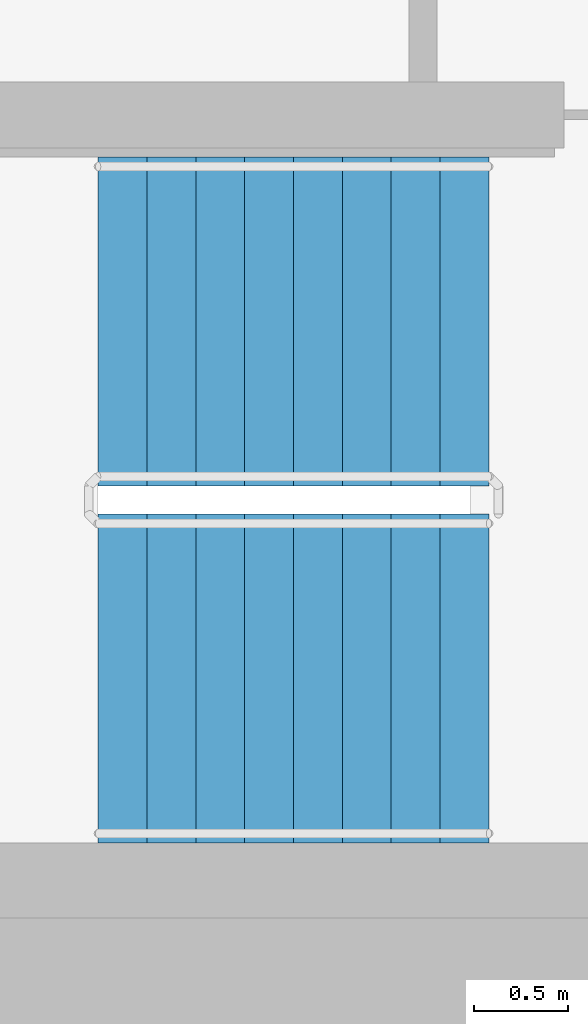
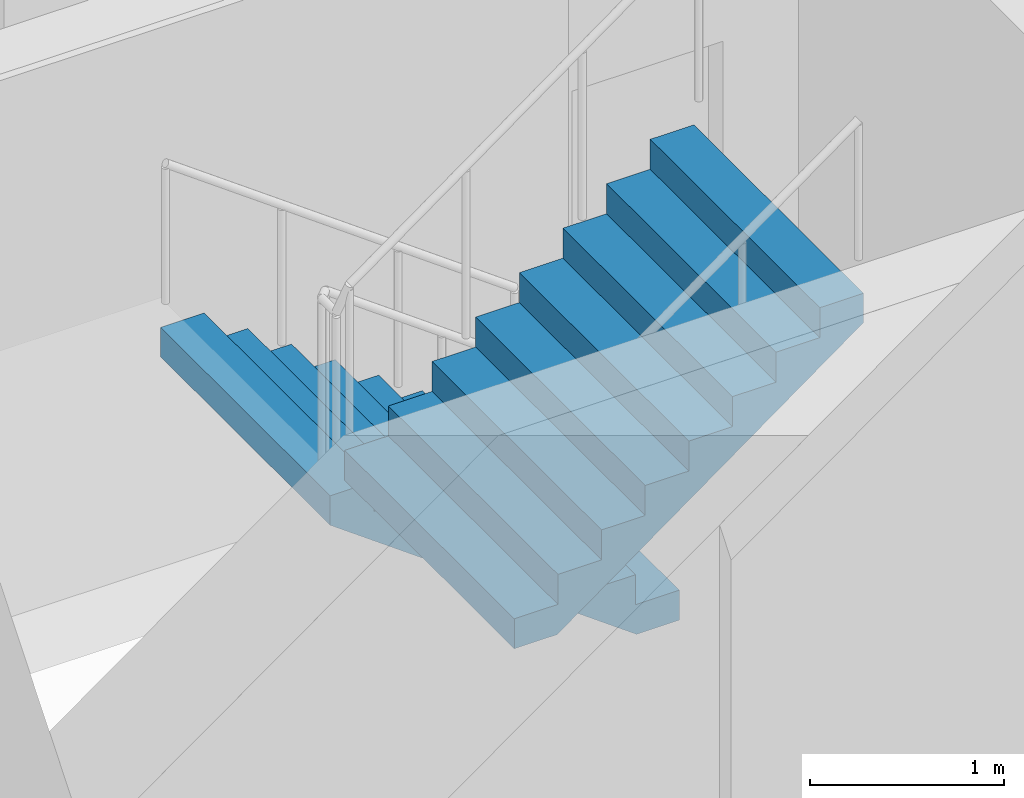
# One storey, part 12 of 18: 2 stair flights, 1 element without a shape of its own.
"""IFC4 building model written with IfcOpenShell, lengths in metres."""

from ifc_helpers import new_model, si_unit, direction, frame, origin, place, context, subcontext, project, spatial, faceted_brep, material, type_object, element, aggregate, save


model = new_model("IFC4")

# Units and contexts
model_context = context("Model", 3, precision=1e-05, world=origin(), true_north=direction((0.0, 1.0)))
body_context = subcontext(model_context, "Body", "Model", "MODEL_VIEW")
ifc_project = project(units=[si_unit("LENGTHUNIT", "METRE"), si_unit("AREAUNIT", "SQUARE_METRE"), si_unit("VOLUMEUNIT", "CUBIC_METRE"), si_unit("PLANEANGLEUNIT", "RADIAN"), si_unit("MASSUNIT", "GRAM", prefix="KILO")], contexts=[model_context])

# Site, building, storey
site_placement = place(None, origin())
site = spatial("IfcSite", under=ifc_project, at=site_placement, CompositionType="ELEMENT")
building_placement = place(site_placement, origin())
building = spatial("IfcBuilding", under=site, at=building_placement, Name="Ipe Terrace Towers", CompositionType="ELEMENT")
storey_placement = place(building_placement, frame((0.0, 0.0, 171.10009765625)))
storey = spatial("IfcBuildingStorey", under=building, at=storey_placement, Name="L47", CompositionType="ELEMENT", Elevation=171.10009765625)

# Stair, stair flights
ifc_material_1 = material(Name="Concrete C30/37", Category="concrete")
stair_type = type_object("IfcStairType", Name="Protected exit stair", PredefinedType="HALF_TURN_STAIR", material=ifc_material_1)
stair_placement = place(storey_placement, origin())
stair = element("IfcStair", 1, at=stair_placement, inside=storey, type_object=stair_type, Name="L47 Exit stair T1-C2", PredefinedType="HALF_TURN_STAIR")
ifc_material_2 = material(Name="Concrete C30/37", Category="concrete")
stair_flight_type = type_object("IfcStairFlightType", Name="Exit stair flight 1750", PredefinedType="STRAIGHT", material=ifc_material_2)
stair_flight_1_placement = place(storey_placement, frame((-45.699951171875, -2.77490234375, 0.0), z_axis=(0.0, 0.0, 1.0), x_axis=(-1.0, 0.0, 0.0)))
stair_flight_1 = element("IfcStairFlight", 2, at=stair_flight_1_placement, type_object=stair_flight_type, Name="T1-ST2 flight 1", NumberOfRisers=9, NumberOfTreads=8, PredefinedType="STRAIGHT", RiserHeight=0.188888889, TreadLength=0.26, context=body_context, shape_type="Brep", body=[
    faceted_brep([(0.255126953125, -0.875, 0.0), (2.080078125, -0.875, 1.325927734375), (2.080078125, -0.875, 1.51123046875), (1.820068359375, -0.875, 1.51123046875), (1.820068359375, -0.875, 1.322265625), (1.56005859375, -0.875, 1.322265625), (1.56005859375, -0.875, 1.13330078125), (1.300048828125, -0.875, 1.13330078125), (1.300048828125, -0.875, 0.9443359375), (1.0400390625, -0.875, 0.9443359375), (1.0400390625, -0.875, 0.755615234375), (0.780029296875, -0.875, 0.755615234375), (0.780029296875, -0.875, 0.566650390625), (0.52001953125, -0.875, 0.566650390625), (0.52001953125, -0.875, 0.377685546875), (0.260009765625, -0.875, 0.377685546875), (0.260009765625, -0.875, 0.18896484375), (0.0, -0.875, 0.18896484375), (0.0, -0.875, 0.0), (0.0, 0.875, 0.0), (0.0, 0.875, 0.18896484375), (0.260009765625, 0.875, 0.18896484375), (0.260009765625, 0.875, 0.377685546875), (0.52001953125, 0.875, 0.377685546875), (0.52001953125, 0.875, 0.566650390625), (0.780029296875, 0.875, 0.566650390625), (0.780029296875, 0.875, 0.755615234375), (1.0400390625, 0.875, 0.755615234375), (1.0400390625, 0.875, 0.9443359375), (1.300048828125, 0.875, 0.9443359375), (1.300048828125, 0.875, 1.13330078125), (1.56005859375, 0.875, 1.13330078125), (1.56005859375, 0.875, 1.322265625), (1.820068359375, 0.875, 1.322265625), (1.820068359375, 0.875, 1.51123046875), (2.080078125, 0.875, 1.51123046875), (2.080078125, 0.875, 1.325927734375), (0.255126953125, 0.875, 0.0), (0.0, -0.300048828125, 0.18896484375), (0.0, -0.1201171875, 0.18896484375), (0.0, -0.06005859375, 0.18896484375), (0.0, -0.030029296875, 0.18896484375), (0.0, -0.010009765625, 0.18896484375), (0.0, 0.0, 0.18896484375), (0.0, 0.010009765625, 0.18896484375), (0.0, 0.030029296875, 0.18896484375), (0.0, 0.06005859375, 0.18896484375), (0.0, 0.1201171875, 0.18896484375), (0.0, 0.300048828125, 0.18896484375), (0.0, 0.300048828125, 0.0), (0.0, 0.1201171875, 0.0), (0.0, 0.06005859375, 0.0), (0.0, 0.030029296875, 0.0), (0.0, 0.010009765625, 0.0), (0.0, 0.0, 0.0), (0.0, -0.010009765625, 0.0), (0.0, -0.030029296875, 0.0), (0.0, -0.06005859375, 0.0), (0.0, -0.1201171875, 0.0), (0.0, -0.300048828125, 0.0), (0.260009765625, -0.300048828125, 0.18896484375), (0.260009765625, -0.1201171875, 0.18896484375), (0.260009765625, -0.06005859375, 0.18896484375), (0.260009765625, -0.030029296875, 0.18896484375), (0.260009765625, -0.010009765625, 0.18896484375), (0.260009765625, 0.0, 0.18896484375), (0.260009765625, 0.010009765625, 0.18896484375), (0.260009765625, 0.030029296875, 0.18896484375), (0.260009765625, 0.06005859375, 0.18896484375), (0.260009765625, 0.1201171875, 0.18896484375), (0.260009765625, 0.300048828125, 0.18896484375), (0.260009765625, -0.300048828125, 0.377685546875), (0.260009765625, -0.1201171875, 0.377685546875), (0.260009765625, -0.06005859375, 0.377685546875), (0.260009765625, -0.030029296875, 0.377685546875), (0.260009765625, -0.010009765625, 0.377685546875), (0.260009765625, 0.0, 0.377685546875), (0.260009765625, 0.010009765625, 0.377685546875), (0.260009765625, 0.030029296875, 0.377685546875), (0.260009765625, 0.06005859375, 0.377685546875), (0.260009765625, 0.1201171875, 0.377685546875), (0.260009765625, 0.300048828125, 0.377685546875), (0.52001953125, -0.300048828125, 0.377685546875), (0.52001953125, -0.1201171875, 0.377685546875), (0.52001953125, -0.06005859375, 0.377685546875), (0.52001953125, -0.030029296875, 0.377685546875), (0.52001953125, -0.010009765625, 0.377685546875), (0.52001953125, 0.0, 0.377685546875), (0.52001953125, 0.010009765625, 0.377685546875), (0.52001953125, 0.030029296875, 0.377685546875), (0.52001953125, 0.06005859375, 0.377685546875), (0.52001953125, 0.1201171875, 0.377685546875), (0.52001953125, 0.300048828125, 0.377685546875), (0.52001953125, -0.300048828125, 0.566650390625), (0.52001953125, -0.1201171875, 0.566650390625), (0.52001953125, -0.06005859375, 0.566650390625), (0.52001953125, -0.030029296875, 0.566650390625), (0.52001953125, -0.010009765625, 0.566650390625), (0.52001953125, 0.0, 0.566650390625), (0.52001953125, 0.010009765625, 0.566650390625), (0.52001953125, 0.030029296875, 0.566650390625), (0.52001953125, 0.06005859375, 0.566650390625), (0.52001953125, 0.1201171875, 0.566650390625), (0.52001953125, 0.300048828125, 0.566650390625), (0.780029296875, -0.300048828125, 0.566650390625), (0.780029296875, -0.1201171875, 0.566650390625), (0.780029296875, -0.06005859375, 0.566650390625), (0.780029296875, -0.030029296875, 0.566650390625), (0.780029296875, -0.010009765625, 0.566650390625), (0.780029296875, 0.0, 0.566650390625), (0.780029296875, 0.010009765625, 0.566650390625), (0.780029296875, 0.030029296875, 0.566650390625), (0.780029296875, 0.06005859375, 0.566650390625), (0.780029296875, 0.1201171875, 0.566650390625), (0.780029296875, 0.300048828125, 0.566650390625), (0.780029296875, -0.300048828125, 0.755615234375), (0.780029296875, -0.1201171875, 0.755615234375), (0.780029296875, -0.06005859375, 0.755615234375), (0.780029296875, -0.030029296875, 0.755615234375), (0.780029296875, -0.010009765625, 0.755615234375), (0.780029296875, 0.0, 0.755615234375), (0.780029296875, 0.010009765625, 0.755615234375), (0.780029296875, 0.030029296875, 0.755615234375), (0.780029296875, 0.06005859375, 0.755615234375), (0.780029296875, 0.1201171875, 0.755615234375), (0.780029296875, 0.300048828125, 0.755615234375), (1.0400390625, -0.300048828125, 0.755615234375), (1.0400390625, -0.1201171875, 0.755615234375), (1.0400390625, -0.06005859375, 0.755615234375), (1.0400390625, -0.030029296875, 0.755615234375), (1.0400390625, -0.010009765625, 0.755615234375), (1.0400390625, 0.0, 0.755615234375), (1.0400390625, 0.010009765625, 0.755615234375), (1.0400390625, 0.030029296875, 0.755615234375), (1.0400390625, 0.06005859375, 0.755615234375), (1.0400390625, 0.1201171875, 0.755615234375), (1.0400390625, 0.300048828125, 0.755615234375), (1.0400390625, -0.300048828125, 0.9443359375), (1.0400390625, -0.1201171875, 0.9443359375), (1.0400390625, -0.06005859375, 0.9443359375), (1.0400390625, -0.030029296875, 0.9443359375), (1.0400390625, -0.010009765625, 0.9443359375), (1.0400390625, 0.0, 0.9443359375), (1.0400390625, 0.010009765625, 0.9443359375), (1.0400390625, 0.030029296875, 0.9443359375), (1.0400390625, 0.06005859375, 0.9443359375), (1.0400390625, 0.1201171875, 0.9443359375), (1.0400390625, 0.300048828125, 0.9443359375), (1.300048828125, -0.300048828125, 0.9443359375), (1.300048828125, -0.1201171875, 0.9443359375), (1.300048828125, -0.06005859375, 0.9443359375), (1.300048828125, -0.030029296875, 0.9443359375), (1.300048828125, -0.010009765625, 0.9443359375), (1.300048828125, 0.0, 0.9443359375), (1.300048828125, 0.010009765625, 0.9443359375), (1.300048828125, 0.030029296875, 0.9443359375), (1.300048828125, 0.06005859375, 0.9443359375), (1.300048828125, 0.1201171875, 0.9443359375), (1.300048828125, 0.300048828125, 0.9443359375), (1.300048828125, -0.300048828125, 1.13330078125), (1.300048828125, -0.1201171875, 1.13330078125), (1.300048828125, -0.06005859375, 1.13330078125), (1.300048828125, -0.030029296875, 1.13330078125), (1.300048828125, -0.010009765625, 1.13330078125), (1.300048828125, 0.0, 1.13330078125), (1.300048828125, 0.010009765625, 1.13330078125), (1.300048828125, 0.030029296875, 1.13330078125), (1.300048828125, 0.06005859375, 1.13330078125), (1.300048828125, 0.1201171875, 1.13330078125), (1.300048828125, 0.300048828125, 1.13330078125), (1.56005859375, -0.300048828125, 1.13330078125), (1.56005859375, -0.1201171875, 1.13330078125), (1.56005859375, -0.06005859375, 1.13330078125), (1.56005859375, -0.030029296875, 1.13330078125), (1.56005859375, -0.010009765625, 1.13330078125), (1.56005859375, 0.0, 1.13330078125), (1.56005859375, 0.010009765625, 1.13330078125), (1.56005859375, 0.030029296875, 1.13330078125), (1.56005859375, 0.06005859375, 1.13330078125), (1.56005859375, 0.1201171875, 1.13330078125), (1.56005859375, 0.300048828125, 1.13330078125), (1.56005859375, -0.300048828125, 1.322265625), (1.56005859375, -0.1201171875, 1.322265625), (1.56005859375, -0.06005859375, 1.322265625), (1.56005859375, -0.030029296875, 1.322265625), (1.56005859375, -0.010009765625, 1.322265625), (1.56005859375, 0.0, 1.322265625), (1.56005859375, 0.010009765625, 1.322265625), (1.56005859375, 0.030029296875, 1.322265625), (1.56005859375, 0.06005859375, 1.322265625), (1.56005859375, 0.1201171875, 1.322265625), (1.56005859375, 0.300048828125, 1.322265625), (1.820068359375, -0.300048828125, 1.322265625), (1.820068359375, -0.1201171875, 1.322265625), (1.820068359375, -0.06005859375, 1.322265625), (1.820068359375, -0.030029296875, 1.322265625), (1.820068359375, -0.010009765625, 1.322265625), (1.820068359375, 0.0, 1.322265625), (1.820068359375, 0.010009765625, 1.322265625), (1.820068359375, 0.030029296875, 1.322265625), (1.820068359375, 0.06005859375, 1.322265625), (1.820068359375, 0.1201171875, 1.322265625), (1.820068359375, 0.300048828125, 1.322265625), (1.820068359375, -0.300048828125, 1.51123046875), (1.820068359375, -0.1201171875, 1.51123046875), (1.820068359375, -0.06005859375, 1.51123046875), (1.820068359375, -0.030029296875, 1.51123046875), (1.820068359375, -0.010009765625, 1.51123046875), (1.820068359375, 0.0, 1.51123046875), (1.820068359375, 0.010009765625, 1.51123046875), (1.820068359375, 0.030029296875, 1.51123046875), (1.820068359375, 0.06005859375, 1.51123046875), (1.820068359375, 0.1201171875, 1.51123046875), (1.820068359375, 0.300048828125, 1.51123046875), (2.080078125, -0.300048828125, 1.51123046875), (2.080078125, -0.1201171875, 1.51123046875), (2.080078125, -0.06005859375, 1.51123046875), (2.080078125, -0.030029296875, 1.51123046875), (2.080078125, -0.010009765625, 1.51123046875), (2.080078125, 0.0, 1.51123046875), (2.080078125, 0.010009765625, 1.51123046875), (2.080078125, 0.030029296875, 1.51123046875), (2.080078125, 0.06005859375, 1.51123046875), (2.080078125, 0.1201171875, 1.51123046875), (2.080078125, 0.300048828125, 1.51123046875), (2.080078125, -0.300048828125, 1.325927734375), (2.080078125, -0.1201171875, 1.325927734375), (2.080078125, -0.06005859375, 1.325927734375), (2.080078125, -0.030029296875, 1.325927734375), (2.080078125, -0.010009765625, 1.325927734375), (2.080078125, 0.0, 1.325927734375), (2.080078125, 0.010009765625, 1.325927734375), (2.080078125, 0.030029296875, 1.325927734375), (2.080078125, 0.06005859375, 1.325927734375), (2.080078125, 0.1201171875, 1.325927734375), (2.080078125, 0.300048828125, 1.325927734375), (0.255126953125, -0.300048828125, 0.0), (0.255126953125, -0.1201171875, 0.0), (0.255126953125, -0.06005859375, 0.0), (0.255126953125, -0.030029296875, 0.0), (0.255126953125, -0.010009765625, 0.0), (0.255126953125, 0.0, 0.0), (0.255126953125, 0.010009765625, 0.0), (0.255126953125, 0.030029296875, 0.0), (0.255126953125, 0.06005859375, 0.0), (0.255126953125, 0.1201171875, 0.0), (0.255126953125, 0.300048828125, 0.0)], [[[0, 1, 2, 3, 4, 5, 6, 7, 8, 9, 10, 11, 12, 13, 14, 15, 16, 17, 18]], [[19, 20, 21, 22, 23, 24, 25, 26, 27, 28, 29, 30, 31, 32, 33, 34, 35, 36, 37]], [[17, 38, 39, 40, 41, 42, 43, 44, 45, 46, 47, 48, 20, 19, 49, 50, 51, 52, 53, 54, 55, 56, 57, 58, 59, 18]], [[16, 60, 61, 62, 63, 64, 65, 66, 67, 68, 69, 70, 21, 20, 48, 47, 46, 45, 44, 43, 42, 41, 40, 39, 38, 17]], [[15, 71, 72, 73, 74, 75, 76, 77, 78, 79, 80, 81, 22, 21, 70, 69, 68, 67, 66, 65, 64, 63, 62, 61, 60, 16]], [[14, 82, 83, 84, 85, 86, 87, 88, 89, 90, 91, 92, 23, 22, 81, 80, 79, 78, 77, 76, 75, 74, 73, 72, 71, 15]], [[13, 93, 94, 95, 96, 97, 98, 99, 100, 101, 102, 103, 24, 23, 92, 91, 90, 89, 88, 87, 86, 85, 84, 83, 82, 14]], [[12, 104, 105, 106, 107, 108, 109, 110, 111, 112, 113, 114, 25, 24, 103, 102, 101, 100, 99, 98, 97, 96, 95, 94, 93, 13]], [[11, 115, 116, 117, 118, 119, 120, 121, 122, 123, 124, 125, 26, 25, 114, 113, 112, 111, 110, 109, 108, 107, 106, 105, 104, 12]], [[10, 126, 127, 128, 129, 130, 131, 132, 133, 134, 135, 136, 27, 26, 125, 124, 123, 122, 121, 120, 119, 118, 117, 116, 115, 11]], [[9, 137, 138, 139, 140, 141, 142, 143, 144, 145, 146, 147, 28, 27, 136, 135, 134, 133, 132, 131, 130, 129, 128, 127, 126, 10]], [[8, 148, 149, 150, 151, 152, 153, 154, 155, 156, 157, 158, 29, 28, 147, 146, 145, 144, 143, 142, 141, 140, 139, 138, 137, 9]], [[7, 159, 160, 161, 162, 163, 164, 165, 166, 167, 168, 169, 30, 29, 158, 157, 156, 155, 154, 153, 152, 151, 150, 149, 148, 8]], [[6, 170, 171, 172, 173, 174, 175, 176, 177, 178, 179, 180, 31, 30, 169, 168, 167, 166, 165, 164, 163, 162, 161, 160, 159, 7]], [[5, 181, 182, 183, 184, 185, 186, 187, 188, 189, 190, 191, 32, 31, 180, 179, 178, 177, 176, 175, 174, 173, 172, 171, 170, 6]], [[4, 192, 193, 194, 195, 196, 197, 198, 199, 200, 201, 202, 33, 32, 191, 190, 189, 188, 187, 186, 185, 184, 183, 182, 181, 5]], [[3, 203, 204, 205, 206, 207, 208, 209, 210, 211, 212, 213, 34, 33, 202, 201, 200, 199, 198, 197, 196, 195, 194, 193, 192, 4]], [[2, 214, 215, 216, 217, 218, 219, 220, 221, 222, 223, 224, 35, 34, 213, 212, 211, 210, 209, 208, 207, 206, 205, 204, 203, 3]], [[1, 225, 226, 227, 228, 229, 230, 231, 232, 233, 234, 235, 36, 35, 224, 223, 222, 221, 220, 219, 218, 217, 216, 215, 214, 2]], [[0, 236, 237, 238, 239, 240, 241, 242, 243, 244, 245, 246, 37, 36, 235, 234, 233, 232, 231, 230, 229, 228, 227, 226, 225, 1]], [[18, 59, 58, 57, 56, 55, 54, 53, 52, 51, 50, 49, 19, 37, 246, 245, 244, 243, 242, 241, 240, 239, 238, 237, 236, 0]]]),
])
stair_flight_2_placement = place(storey_placement, frame((-47.780029296875, -4.675048828125, 1.699951171875), z_axis=(0.0, 0.0, 1.0), x_axis=(1.0, 0.0, 0.0)))
stair_flight_2 = element("IfcStairFlight", 3, at=stair_flight_2_placement, type_object=stair_flight_type, Name="T1-ST2 flight 2", NumberOfRisers=9, NumberOfTreads=8, PredefinedType="STRAIGHT", RiserHeight=0.188888889, TreadLength=0.26, context=body_context, shape_type="Brep", body=[
    faceted_brep([(0.255126953125, -0.875, 0.0), (2.080078125, -0.875, 1.325927734375), (2.080078125, -0.875, 1.51123046875), (1.820068359375, -0.875, 1.51123046875), (1.820068359375, -0.875, 1.322265625), (1.56005859375, -0.875, 1.322265625), (1.56005859375, -0.875, 1.13330078125), (1.300048828125, -0.875, 1.13330078125), (1.300048828125, -0.875, 0.9443359375), (1.0400390625, -0.875, 0.9443359375), (1.0400390625, -0.875, 0.755615234375), (0.780029296875, -0.875, 0.755615234375), (0.780029296875, -0.875, 0.566650390625), (0.52001953125, -0.875, 0.566650390625), (0.52001953125, -0.875, 0.377685546875), (0.260009765625, -0.875, 0.377685546875), (0.260009765625, -0.875, 0.18896484375), (0.0, -0.875, 0.18896484375), (0.0, -0.875, 0.0), (0.0, 0.875, 0.0), (0.0, 0.875, 0.18896484375), (0.260009765625, 0.875, 0.18896484375), (0.260009765625, 0.875, 0.377685546875), (0.52001953125, 0.875, 0.377685546875), (0.52001953125, 0.875, 0.566650390625), (0.780029296875, 0.875, 0.566650390625), (0.780029296875, 0.875, 0.755615234375), (1.0400390625, 0.875, 0.755615234375), (1.0400390625, 0.875, 0.9443359375), (1.300048828125, 0.875, 0.9443359375), (1.300048828125, 0.875, 1.13330078125), (1.56005859375, 0.875, 1.13330078125), (1.56005859375, 0.875, 1.322265625), (1.820068359375, 0.875, 1.322265625), (1.820068359375, 0.875, 1.51123046875), (2.080078125, 0.875, 1.51123046875), (2.080078125, 0.875, 1.325927734375), (0.255126953125, 0.875, 0.0), (0.0, -0.300048828125, 0.18896484375), (0.0, -0.1201171875, 0.18896484375), (0.0, -0.06005859375, 0.18896484375), (0.0, -0.030029296875, 0.18896484375), (0.0, -0.010009765625, 0.18896484375), (0.0, 0.0, 0.18896484375), (0.0, 0.010009765625, 0.18896484375), (0.0, 0.030029296875, 0.18896484375), (0.0, 0.06005859375, 0.18896484375), (0.0, 0.1201171875, 0.18896484375), (0.0, 0.300048828125, 0.18896484375), (0.0, 0.300048828125, 0.0), (0.0, 0.1201171875, 0.0), (0.0, 0.06005859375, 0.0), (0.0, 0.030029296875, 0.0), (0.0, 0.010009765625, 0.0), (0.0, 0.0, 0.0), (0.0, -0.010009765625, 0.0), (0.0, -0.030029296875, 0.0), (0.0, -0.06005859375, 0.0), (0.0, -0.1201171875, 0.0), (0.0, -0.300048828125, 0.0), (0.260009765625, -0.300048828125, 0.18896484375), (0.260009765625, -0.1201171875, 0.18896484375), (0.260009765625, -0.06005859375, 0.18896484375), (0.260009765625, -0.030029296875, 0.18896484375), (0.260009765625, -0.010009765625, 0.18896484375), (0.260009765625, 0.0, 0.18896484375), (0.260009765625, 0.010009765625, 0.18896484375), (0.260009765625, 0.030029296875, 0.18896484375), (0.260009765625, 0.06005859375, 0.18896484375), (0.260009765625, 0.1201171875, 0.18896484375), (0.260009765625, 0.300048828125, 0.18896484375), (0.260009765625, -0.300048828125, 0.377685546875), (0.260009765625, -0.1201171875, 0.377685546875), (0.260009765625, -0.06005859375, 0.377685546875), (0.260009765625, -0.030029296875, 0.377685546875), (0.260009765625, -0.010009765625, 0.377685546875), (0.260009765625, 0.0, 0.377685546875), (0.260009765625, 0.010009765625, 0.377685546875), (0.260009765625, 0.030029296875, 0.377685546875), (0.260009765625, 0.06005859375, 0.377685546875), (0.260009765625, 0.1201171875, 0.377685546875), (0.260009765625, 0.300048828125, 0.377685546875), (0.52001953125, -0.300048828125, 0.377685546875), (0.52001953125, -0.1201171875, 0.377685546875), (0.52001953125, -0.06005859375, 0.377685546875), (0.52001953125, -0.030029296875, 0.377685546875), (0.52001953125, -0.010009765625, 0.377685546875), (0.52001953125, 0.0, 0.377685546875), (0.52001953125, 0.010009765625, 0.377685546875), (0.52001953125, 0.030029296875, 0.377685546875), (0.52001953125, 0.06005859375, 0.377685546875), (0.52001953125, 0.1201171875, 0.377685546875), (0.52001953125, 0.300048828125, 0.377685546875), (0.52001953125, -0.300048828125, 0.566650390625), (0.52001953125, -0.1201171875, 0.566650390625), (0.52001953125, -0.06005859375, 0.566650390625), (0.52001953125, -0.030029296875, 0.566650390625), (0.52001953125, -0.010009765625, 0.566650390625), (0.52001953125, 0.0, 0.566650390625), (0.52001953125, 0.010009765625, 0.566650390625), (0.52001953125, 0.030029296875, 0.566650390625), (0.52001953125, 0.06005859375, 0.566650390625), (0.52001953125, 0.1201171875, 0.566650390625), (0.52001953125, 0.300048828125, 0.566650390625), (0.780029296875, -0.300048828125, 0.566650390625), (0.780029296875, -0.1201171875, 0.566650390625), (0.780029296875, -0.06005859375, 0.566650390625), (0.780029296875, -0.030029296875, 0.566650390625), (0.780029296875, -0.010009765625, 0.566650390625), (0.780029296875, 0.0, 0.566650390625), (0.780029296875, 0.010009765625, 0.566650390625), (0.780029296875, 0.030029296875, 0.566650390625), (0.780029296875, 0.06005859375, 0.566650390625), (0.780029296875, 0.1201171875, 0.566650390625), (0.780029296875, 0.300048828125, 0.566650390625), (0.780029296875, -0.300048828125, 0.755615234375), (0.780029296875, -0.1201171875, 0.755615234375), (0.780029296875, -0.06005859375, 0.755615234375), (0.780029296875, -0.030029296875, 0.755615234375), (0.780029296875, -0.010009765625, 0.755615234375), (0.780029296875, 0.0, 0.755615234375), (0.780029296875, 0.010009765625, 0.755615234375), (0.780029296875, 0.030029296875, 0.755615234375), (0.780029296875, 0.06005859375, 0.755615234375), (0.780029296875, 0.1201171875, 0.755615234375), (0.780029296875, 0.300048828125, 0.755615234375), (1.0400390625, -0.300048828125, 0.755615234375), (1.0400390625, -0.1201171875, 0.755615234375), (1.0400390625, -0.06005859375, 0.755615234375), (1.0400390625, -0.030029296875, 0.755615234375), (1.0400390625, -0.010009765625, 0.755615234375), (1.0400390625, 0.0, 0.755615234375), (1.0400390625, 0.010009765625, 0.755615234375), (1.0400390625, 0.030029296875, 0.755615234375), (1.0400390625, 0.06005859375, 0.755615234375), (1.0400390625, 0.1201171875, 0.755615234375), (1.0400390625, 0.300048828125, 0.755615234375), (1.0400390625, -0.300048828125, 0.9443359375), (1.0400390625, -0.1201171875, 0.9443359375), (1.0400390625, -0.06005859375, 0.9443359375), (1.0400390625, -0.030029296875, 0.9443359375), (1.0400390625, -0.010009765625, 0.9443359375), (1.0400390625, 0.0, 0.9443359375), (1.0400390625, 0.010009765625, 0.9443359375), (1.0400390625, 0.030029296875, 0.9443359375), (1.0400390625, 0.06005859375, 0.9443359375), (1.0400390625, 0.1201171875, 0.9443359375), (1.0400390625, 0.300048828125, 0.9443359375), (1.300048828125, -0.300048828125, 0.9443359375), (1.300048828125, -0.1201171875, 0.9443359375), (1.300048828125, -0.06005859375, 0.9443359375), (1.300048828125, -0.030029296875, 0.9443359375), (1.300048828125, -0.010009765625, 0.9443359375), (1.300048828125, 0.0, 0.9443359375), (1.300048828125, 0.010009765625, 0.9443359375), (1.300048828125, 0.030029296875, 0.9443359375), (1.300048828125, 0.06005859375, 0.9443359375), (1.300048828125, 0.1201171875, 0.9443359375), (1.300048828125, 0.300048828125, 0.9443359375), (1.300048828125, -0.300048828125, 1.13330078125), (1.300048828125, -0.1201171875, 1.13330078125), (1.300048828125, -0.06005859375, 1.13330078125), (1.300048828125, -0.030029296875, 1.13330078125), (1.300048828125, -0.010009765625, 1.13330078125), (1.300048828125, 0.0, 1.13330078125), (1.300048828125, 0.010009765625, 1.13330078125), (1.300048828125, 0.030029296875, 1.13330078125), (1.300048828125, 0.06005859375, 1.13330078125), (1.300048828125, 0.1201171875, 1.13330078125), (1.300048828125, 0.300048828125, 1.13330078125), (1.56005859375, -0.300048828125, 1.13330078125), (1.56005859375, -0.1201171875, 1.13330078125), (1.56005859375, -0.06005859375, 1.13330078125), (1.56005859375, -0.030029296875, 1.13330078125), (1.56005859375, -0.010009765625, 1.13330078125), (1.56005859375, 0.0, 1.13330078125), (1.56005859375, 0.010009765625, 1.13330078125), (1.56005859375, 0.030029296875, 1.13330078125), (1.56005859375, 0.06005859375, 1.13330078125), (1.56005859375, 0.1201171875, 1.13330078125), (1.56005859375, 0.300048828125, 1.13330078125), (1.56005859375, -0.300048828125, 1.322265625), (1.56005859375, -0.1201171875, 1.322265625), (1.56005859375, -0.06005859375, 1.322265625), (1.56005859375, -0.030029296875, 1.322265625), (1.56005859375, -0.010009765625, 1.322265625), (1.56005859375, 0.0, 1.322265625), (1.56005859375, 0.010009765625, 1.322265625), (1.56005859375, 0.030029296875, 1.322265625), (1.56005859375, 0.06005859375, 1.322265625), (1.56005859375, 0.1201171875, 1.322265625), (1.56005859375, 0.300048828125, 1.322265625), (1.820068359375, -0.300048828125, 1.322265625), (1.820068359375, -0.1201171875, 1.322265625), (1.820068359375, -0.06005859375, 1.322265625), (1.820068359375, -0.030029296875, 1.322265625), (1.820068359375, -0.010009765625, 1.322265625), (1.820068359375, 0.0, 1.322265625), (1.820068359375, 0.010009765625, 1.322265625), (1.820068359375, 0.030029296875, 1.322265625), (1.820068359375, 0.06005859375, 1.322265625), (1.820068359375, 0.1201171875, 1.322265625), (1.820068359375, 0.300048828125, 1.322265625), (1.820068359375, -0.300048828125, 1.51123046875), (1.820068359375, -0.1201171875, 1.51123046875), (1.820068359375, -0.06005859375, 1.51123046875), (1.820068359375, -0.030029296875, 1.51123046875), (1.820068359375, -0.010009765625, 1.51123046875), (1.820068359375, 0.0, 1.51123046875), (1.820068359375, 0.010009765625, 1.51123046875), (1.820068359375, 0.030029296875, 1.51123046875), (1.820068359375, 0.06005859375, 1.51123046875), (1.820068359375, 0.1201171875, 1.51123046875), (1.820068359375, 0.300048828125, 1.51123046875), (2.080078125, -0.300048828125, 1.51123046875), (2.080078125, -0.1201171875, 1.51123046875), (2.080078125, -0.06005859375, 1.51123046875), (2.080078125, -0.030029296875, 1.51123046875), (2.080078125, -0.010009765625, 1.51123046875), (2.080078125, 0.0, 1.51123046875), (2.080078125, 0.010009765625, 1.51123046875), (2.080078125, 0.030029296875, 1.51123046875), (2.080078125, 0.06005859375, 1.51123046875), (2.080078125, 0.1201171875, 1.51123046875), (2.080078125, 0.300048828125, 1.51123046875), (2.080078125, -0.300048828125, 1.325927734375), (2.080078125, -0.1201171875, 1.325927734375), (2.080078125, -0.06005859375, 1.325927734375), (2.080078125, -0.030029296875, 1.325927734375), (2.080078125, -0.010009765625, 1.325927734375), (2.080078125, 0.0, 1.325927734375), (2.080078125, 0.010009765625, 1.325927734375), (2.080078125, 0.030029296875, 1.325927734375), (2.080078125, 0.06005859375, 1.325927734375), (2.080078125, 0.1201171875, 1.325927734375), (2.080078125, 0.300048828125, 1.325927734375), (0.255126953125, -0.300048828125, 0.0), (0.255126953125, -0.1201171875, 0.0), (0.255126953125, -0.06005859375, 0.0), (0.255126953125, -0.030029296875, 0.0), (0.255126953125, -0.010009765625, 0.0), (0.255126953125, 0.0, 0.0), (0.255126953125, 0.010009765625, 0.0), (0.255126953125, 0.030029296875, 0.0), (0.255126953125, 0.06005859375, 0.0), (0.255126953125, 0.1201171875, 0.0), (0.255126953125, 0.300048828125, 0.0)], [[[0, 1, 2, 3, 4, 5, 6, 7, 8, 9, 10, 11, 12, 13, 14, 15, 16, 17, 18]], [[19, 20, 21, 22, 23, 24, 25, 26, 27, 28, 29, 30, 31, 32, 33, 34, 35, 36, 37]], [[17, 38, 39, 40, 41, 42, 43, 44, 45, 46, 47, 48, 20, 19, 49, 50, 51, 52, 53, 54, 55, 56, 57, 58, 59, 18]], [[16, 60, 61, 62, 63, 64, 65, 66, 67, 68, 69, 70, 21, 20, 48, 47, 46, 45, 44, 43, 42, 41, 40, 39, 38, 17]], [[15, 71, 72, 73, 74, 75, 76, 77, 78, 79, 80, 81, 22, 21, 70, 69, 68, 67, 66, 65, 64, 63, 62, 61, 60, 16]], [[14, 82, 83, 84, 85, 86, 87, 88, 89, 90, 91, 92, 23, 22, 81, 80, 79, 78, 77, 76, 75, 74, 73, 72, 71, 15]], [[13, 93, 94, 95, 96, 97, 98, 99, 100, 101, 102, 103, 24, 23, 92, 91, 90, 89, 88, 87, 86, 85, 84, 83, 82, 14]], [[12, 104, 105, 106, 107, 108, 109, 110, 111, 112, 113, 114, 25, 24, 103, 102, 101, 100, 99, 98, 97, 96, 95, 94, 93, 13]], [[11, 115, 116, 117, 118, 119, 120, 121, 122, 123, 124, 125, 26, 25, 114, 113, 112, 111, 110, 109, 108, 107, 106, 105, 104, 12]], [[10, 126, 127, 128, 129, 130, 131, 132, 133, 134, 135, 136, 27, 26, 125, 124, 123, 122, 121, 120, 119, 118, 117, 116, 115, 11]], [[9, 137, 138, 139, 140, 141, 142, 143, 144, 145, 146, 147, 28, 27, 136, 135, 134, 133, 132, 131, 130, 129, 128, 127, 126, 10]], [[8, 148, 149, 150, 151, 152, 153, 154, 155, 156, 157, 158, 29, 28, 147, 146, 145, 144, 143, 142, 141, 140, 139, 138, 137, 9]], [[7, 159, 160, 161, 162, 163, 164, 165, 166, 167, 168, 169, 30, 29, 158, 157, 156, 155, 154, 153, 152, 151, 150, 149, 148, 8]], [[6, 170, 171, 172, 173, 174, 175, 176, 177, 178, 179, 180, 31, 30, 169, 168, 167, 166, 165, 164, 163, 162, 161, 160, 159, 7]], [[5, 181, 182, 183, 184, 185, 186, 187, 188, 189, 190, 191, 32, 31, 180, 179, 178, 177, 176, 175, 174, 173, 172, 171, 170, 6]], [[4, 192, 193, 194, 195, 196, 197, 198, 199, 200, 201, 202, 33, 32, 191, 190, 189, 188, 187, 186, 185, 184, 183, 182, 181, 5]], [[3, 203, 204, 205, 206, 207, 208, 209, 210, 211, 212, 213, 34, 33, 202, 201, 200, 199, 198, 197, 196, 195, 194, 193, 192, 4]], [[2, 214, 215, 216, 217, 218, 219, 220, 221, 222, 223, 224, 35, 34, 213, 212, 211, 210, 209, 208, 207, 206, 205, 204, 203, 3]], [[1, 225, 226, 227, 228, 229, 230, 231, 232, 233, 234, 235, 36, 35, 224, 223, 222, 221, 220, 219, 218, 217, 216, 215, 214, 2]], [[0, 236, 237, 238, 239, 240, 241, 242, 243, 244, 245, 246, 37, 36, 235, 234, 233, 232, 231, 230, 229, 228, 227, 226, 225, 1]], [[18, 59, 58, 57, 56, 55, 54, 53, 52, 51, 50, 49, 19, 37, 246, 245, 244, 243, 242, 241, 240, 239, 238, 237, 236, 0]]]),
])
aggregate(stair, [stair_flight_1, stair_flight_2])

save(model, "model.ifc")
